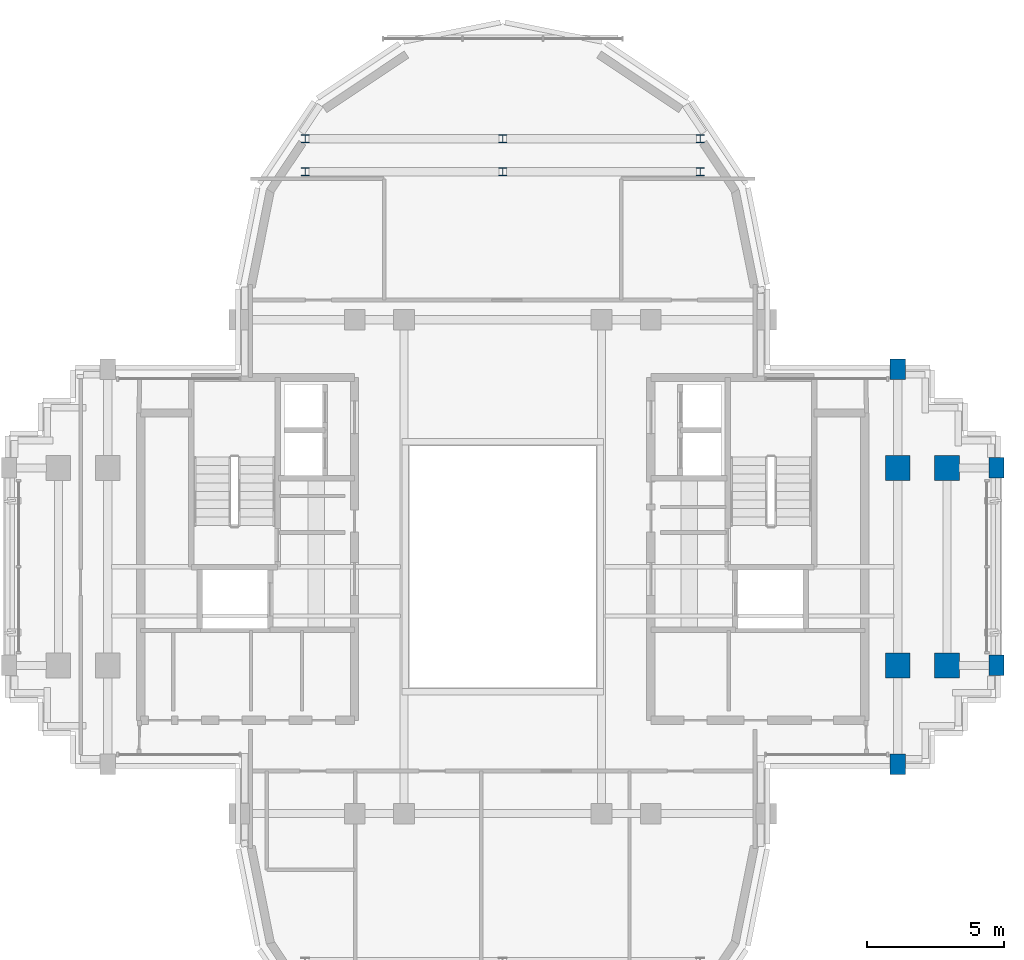
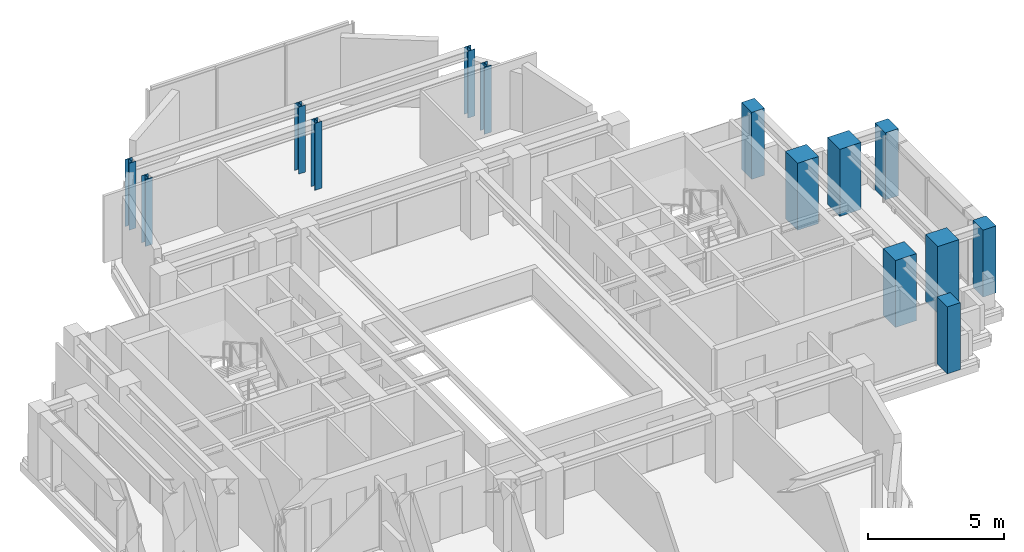
# One storey, part 2 of 12: 14 columns.
"""IFC4 building model written with IfcOpenShell, lengths in metres."""

from ifc_helpers import new_model, si_unit, direction, frame, origin, origin_2d, place, context, subcontext, project, spatial, rectangle, i_section, extrude, source, transform, mapped, material, material_profile, profile_set, type_object, element, save


model = new_model("IFC4")

# Units and contexts
model_context = context("Model", 3, precision=1e-05, world=origin(), true_north=direction((0.0, 1.0)))
body_context = subcontext(model_context, "Body", "Model", "MODEL_VIEW")
ifc_project = project(units=[si_unit("LENGTHUNIT", "METRE"), si_unit("AREAUNIT", "SQUARE_METRE"), si_unit("VOLUMEUNIT", "CUBIC_METRE"), si_unit("PLANEANGLEUNIT", "RADIAN"), si_unit("MASSUNIT", "GRAM", prefix="KILO")], contexts=[model_context])

# Site, building, storey
site_placement = place(None, origin())
site = spatial("IfcSite", under=ifc_project, at=site_placement, CompositionType="ELEMENT")
building_placement = place(site_placement, origin())
building = spatial("IfcBuilding", under=site, at=building_placement, Name="Keilestroom Media Tower", CompositionType="ELEMENT")
storey_placement = place(building_placement, frame((0.0, 0.0, 226.800048828125)))
storey = spatial("IfcBuildingStorey", under=building, at=storey_placement, Name="L62", CompositionType="ELEMENT", Elevation=226.800048828125)

# Columns
ifc_material_1 = material(Name="Precast concrete C40/50", Category="concrete")
ifc_material_profile_1 = material_profile(ifc_material_1, rectangle(XDim=0.550048828125, YDim=0.75, at=origin_2d()), Name="PC 750x550")
ifc_profile_set_1 = profile_set([ifc_material_profile_1], Name="Precast concrete C40/50")
column_type_1 = type_object("IfcColumnType", Name="Structural-Column-PC-750x550", PredefinedType="COLUMN", material=ifc_profile_set_1)
shared_shape_1 = source(origin(), body_context, "Body", "SweptSolid", [
    extrude(rectangle(XDim=0.550048828125, YDim=0.75, at=origin_2d()), origin(), (0.0, 0.0, 1.0), 3.010009765625),
])
for number, where, z_axis, x_axis, name in (
    (1, (14.39990234375, -7.199951171875, 0.0), (0.0, 0.0, 1.0), (1.0, 0.0, 0.0), "L62 Column PC-3 (+14.4,-7.2)"),
    (2, (14.39990234375, 7.199951171875, 0.0), (0.0, 0.0, 1.0), (1.0, 0.0, 0.0), "L62 Column PC-3 (+14.4,+7.2)"),
    (3, (18.0, -3.60009765625, 0.0), (0.0, 0.0, 1.0), (1.0, 0.0, 0.0), "L62 Column PC-3 (+18.0,-3.6)"),
    (4, (18.0, 3.60009765625, 0.0), (0.0, 0.0, 1.0), (1.0, 0.0, 0.0), "L62 Column PC-3 (+18.0,+3.6)"),
):
    element("IfcColumn", number, at=place(storey_placement, frame(where, z_axis=z_axis, x_axis=x_axis)), inside=storey, type_object=column_type_1, Name=name, PredefinedType="COLUMN", context=body_context, shape_type="MappedRepresentation", body=[
        mapped(shared_shape_1, transform((0.0, 0.0, 0.0), x_axis=(1.0, 0.0, 0.0), y_axis=(0.0, 1.0, 0.0), z_axis=(0.0, 0.0, 1.0), scale=1.0)),
    ])
ifc_material_2 = material(Name="Concrete C55/67", Category="concrete")
ifc_material_profile_2 = material_profile(ifc_material_2, rectangle(XDim=0.89990234375, YDim=0.89990234375, at=origin_2d()), Name="RC 900x900")
ifc_profile_set_2 = profile_set([ifc_material_profile_2], Name="Concrete C55/67")
column_type_2 = type_object("IfcColumnType", Name="Structural-Column-RC-900x900", PredefinedType="COLUMN", material=ifc_profile_set_2)
shared_shape_2 = source(origin(), body_context, "Body", "SweptSolid", [
    extrude(rectangle(XDim=0.89990234375, YDim=0.89990234375, at=origin_2d()), origin(), (0.0, 0.0, 1.0), 3.010009765625),
])
for number, where, z_axis, x_axis, name in (
    (5, (14.39990234375, -3.60009765625, 0.0), (0.0, 0.0, 1.0), (1.0, 0.0, 0.0), "L62 Column MC-4 (+14.4,-3.6)"),
    (6, (14.39990234375, 3.60009765625, 0.0), (0.0, 0.0, 1.0), (1.0, 0.0, 0.0), "L62 Column MC-4 (+14.4,+3.6)"),
    (7, (16.199951171875, -3.60009765625, 0.0), (0.0, 0.0, 1.0), (1.0, 0.0, 0.0), "L62 Column MC-4 (+16.2,-3.6)"),
    (8, (16.199951171875, 3.60009765625, 0.0), (0.0, 0.0, 1.0), (1.0, 0.0, 0.0), "L62 Column MC-4 (+16.2,+3.6)"),
):
    element("IfcColumn", number, at=place(storey_placement, frame(where, z_axis=z_axis, x_axis=x_axis)), inside=storey, type_object=column_type_2, Name=name, PredefinedType="COLUMN", context=body_context, shape_type="MappedRepresentation", body=[
        mapped(shared_shape_2, transform((0.0, 0.0, 0.0), x_axis=(1.0, 0.0, 0.0), y_axis=(0.0, 1.0, 0.0), z_axis=(0.0, 0.0, 1.0), scale=1.0)),
    ])
ifc_material_3 = material(Name="Steel S355", Category="steel")
ifc_material_profile_3 = material_profile(ifc_material_3, i_section(OverallWidth=0.300048828125, OverallDepth=0.300048828125, WebThickness=0.010986328125, FlangeThickness=0.01904296875, at=origin_2d()), Name="HEB 300")
ifc_profile_set_3 = profile_set([ifc_material_profile_3], Name="Steel S355")
column_type_3 = type_object("IfcColumnType", Name="Structural-Column-HEB-300", PredefinedType="COLUMN", material=ifc_profile_set_3)
shared_shape_3 = source(origin(), body_context, "Body", "SweptSolid", [
    extrude(i_section(OverallWidth=0.300048828125, OverallDepth=0.300048828125, WebThickness=0.010986328125, FlangeThickness=0.01904296875, at=origin_2d()), origin(), (0.0, 0.0, 1.0), 3.010009765625),
])
for number, where, z_axis, x_axis, name in (
    (9, (-7.199951171875, 14.39990234375, 0.0), (0.0, 0.0, 1.0), (1.0, 0.0, 0.0), "L62 Column SC-5 (-7.2,+14.4)"),
    (10, (-7.199951171875, 15.60009765625, 0.0), (0.0, 0.0, 1.0), (1.0, 0.0, 0.0), "L62 Column SC-5 (-7.2,+15.6)"),
    (11, (0.0, 14.39990234375, 0.0), (0.0, 0.0, 1.0), (1.0, 0.0, 0.0), "L62 Column SC-5 (+0.0,+14.4)"),
    (12, (0.0, 15.60009765625, 0.0), (0.0, 0.0, 1.0), (1.0, 0.0, 0.0), "L62 Column SC-5 (+0.0,+15.6)"),
    (13, (7.199951171875, 14.39990234375, 0.0), (0.0, 0.0, 1.0), (1.0, 0.0, 0.0), "L62 Column SC-5 (+7.2,+14.4)"),
    (14, (7.199951171875, 15.60009765625, 0.0), (0.0, 0.0, 1.0), (1.0, 0.0, 0.0), "L62 Column SC-5 (+7.2,+15.6)"),
):
    element("IfcColumn", number, at=place(storey_placement, frame(where, z_axis=z_axis, x_axis=x_axis)), inside=storey, type_object=column_type_3, Name=name, PredefinedType="COLUMN", context=body_context, shape_type="MappedRepresentation", body=[
        mapped(shared_shape_3, transform((0.0, 0.0, 0.0), x_axis=(1.0, 0.0, 0.0), y_axis=(0.0, 1.0, 0.0), z_axis=(0.0, 0.0, 1.0), scale=1.0)),
    ])

save(model, "model.ifc")
